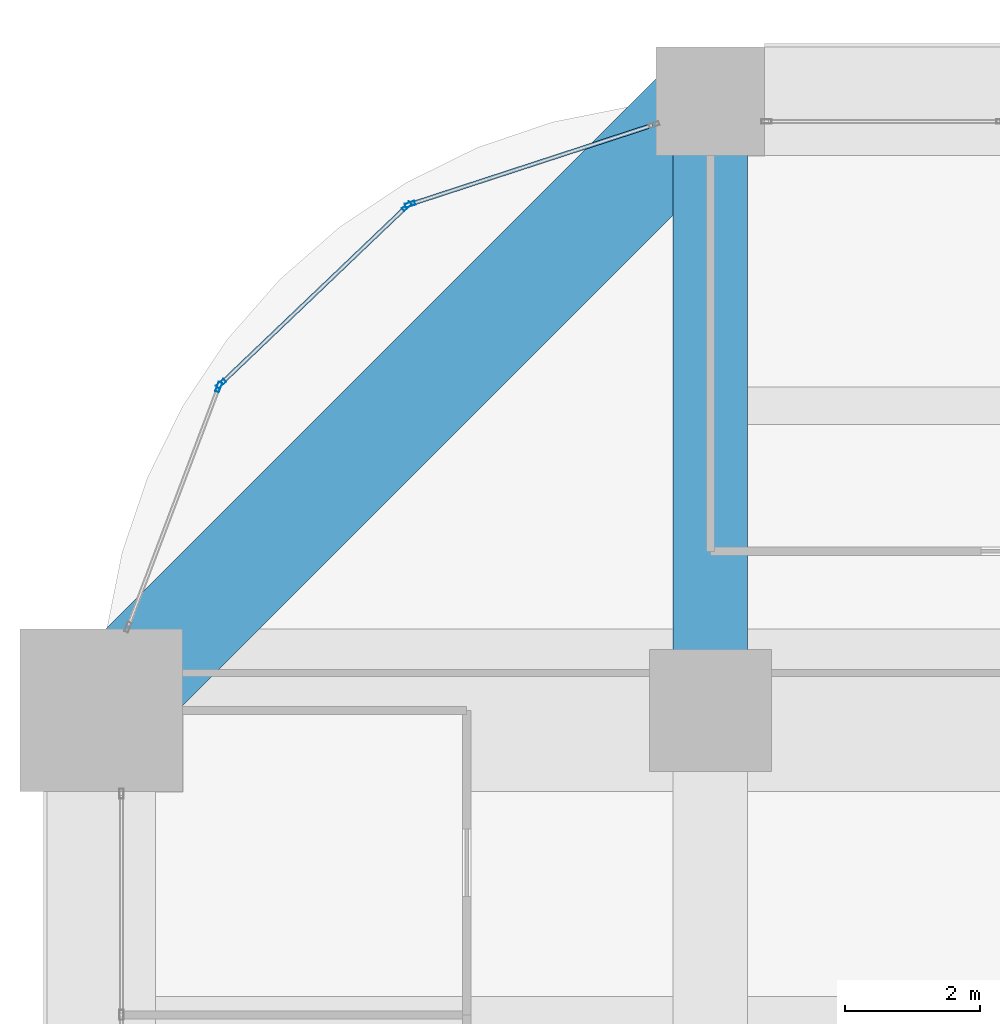
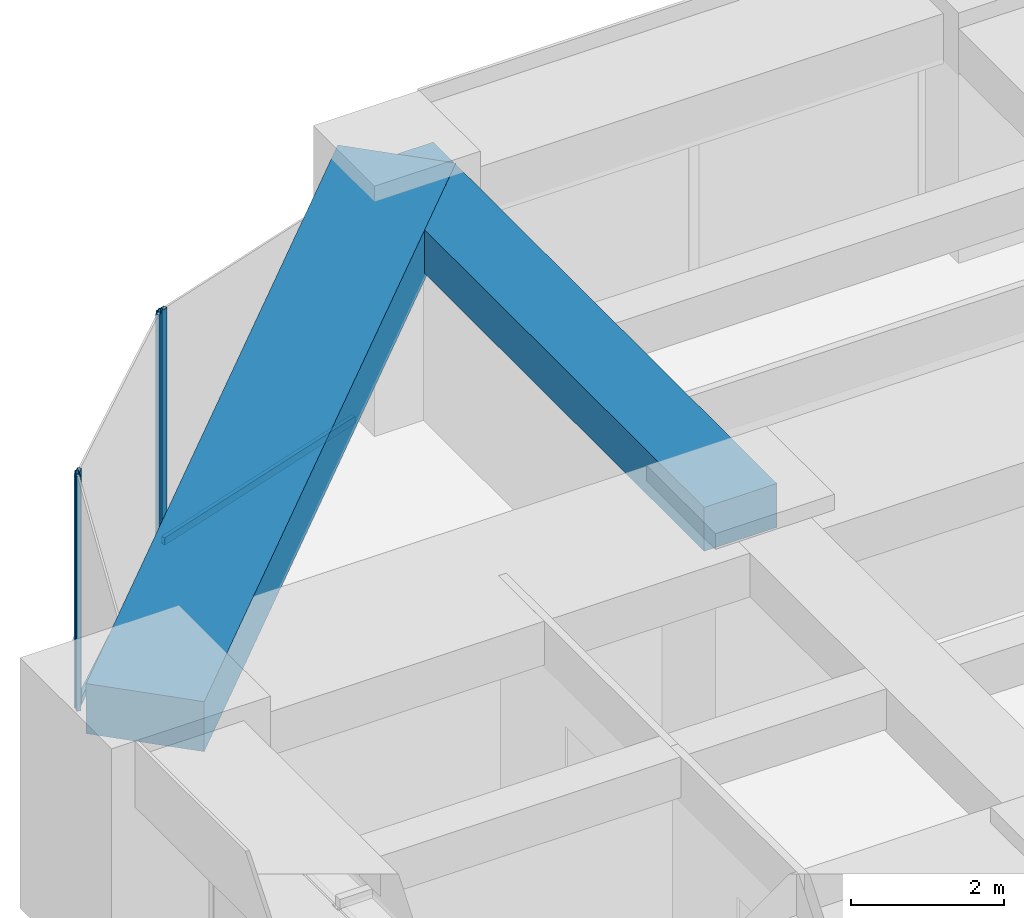
# One storey, part 26 of 43: 6 members, 2 beams, 3 elements without a shape of their own.
"""IFC4 building model written with IfcOpenShell, lengths in metres."""

from ifc_helpers import new_model, si_unit, direction, frame, origin, origin_2d, place, context, subcontext, project, spatial, rectangle, hollow_rectangle, extrude, material, material_profile, profile_set, type_object, element, aggregate, save


model = new_model("IFC4")

# Units and contexts
model_context = context("Model", 3, precision=1e-05, world=origin(), true_north=direction((0.0, 1.0)))
body_context = subcontext(model_context, "Body", "Model", "MODEL_VIEW")
ifc_project = project(units=[si_unit("LENGTHUNIT", "METRE"), si_unit("AREAUNIT", "SQUARE_METRE"), si_unit("VOLUMEUNIT", "CUBIC_METRE"), si_unit("PLANEANGLEUNIT", "RADIAN"), si_unit("MASSUNIT", "GRAM", prefix="KILO")], contexts=[model_context])

# Site, building, storey
site_placement = place(None, origin())
site = spatial("IfcSite", under=ifc_project, at=site_placement, CompositionType="ELEMENT")
building_placement = place(site_placement, origin())
building = spatial("IfcBuilding", under=site, at=building_placement, Name="Zorevar Civic Tower", CompositionType="ELEMENT")
storey_placement = place(building_placement, frame((0.0, 0.0, 145.0)))
storey = spatial("IfcBuildingStorey", under=building, at=storey_placement, Name="L35", CompositionType="ELEMENT", Elevation=145.0)

# Beam
ifc_material_1 = material(Name="Concrete C50/60", Category="concrete")
ifc_material_profile_1 = material_profile(ifc_material_1, rectangle(XDim=1.10009765625, YDim=0.699951171875, at=origin_2d()), Name="RC 1100x700")
ifc_profile_set_1 = profile_set([ifc_material_profile_1], Name="Concrete C50/60")
beam_type_1 = type_object("IfcBeamType", Name="Beam RC 1100x700", PredefinedType="BEAM", material=ifc_profile_set_1)
beam_1_placement = place(storey_placement, frame((9.0, 36.0, 3.39990234375), z_axis=(0.0, 1.0, 0.0), x_axis=(-1.0, 0.0, 0.0)))
element("IfcBeam", 1, at=beam_1_placement, inside=storey, type_object=beam_type_1, Name="Girder L36", PredefinedType="BEAM", context=body_context, shape_type="SweptSolid", body=[
    extrude(rectangle(XDim=1.10009765625, YDim=0.699951171875, at=origin_2d()), origin(), (0.0, 0.0, 1.0), 9.0),
])

# Curtain wall, member
ifc_material_2 = material(Name="Dark grey solar-control glass in black aluminium frame", Category="aluminium")
curtain_wall_type = type_object("IfcCurtainWallType", Name="Curtain wall CW3 mid zone", PredefinedType="NOTDEFINED", material=ifc_material_2)
curtain_wall_1_placement = place(storey_placement, origin())
curtain_wall_1 = element("IfcCurtainWall", 2, at=curtain_wall_1_placement, inside=storey, type_object=curtain_wall_type, Name="CW3 L35", PredefinedType="NOTDEFINED")
ifc_material_3 = material(Name="Aluminium, black anodised", Category="aluminium")
ifc_material_profile_2 = material_profile(ifc_material_3, hollow_rectangle(XDim=0.06005859375, YDim=0.14990234375, WallThickness=0.00390625, at=origin_2d()), Name="AL 150x60x4")
ifc_profile_set_2 = profile_set([ifc_material_profile_2], Name="Aluminium, black anodised")
member_type_1 = type_object("IfcMemberType", Name="CW3 mullion AL 150x60x4", PredefinedType="MULLION", material=ifc_profile_set_2)
member_1_placement = place(storey_placement, frame((4.56396484375, 43.476318359375, 0.0), z_axis=(0.0, 0.0, 1.0), x_axis=(0.310263169163, -0.950650706548, 0.0)))
member_1 = element("IfcMember", 3, at=member_1_placement, type_object=member_type_1, Name="CW3 mullion 2", PredefinedType="MULLION", context=body_context, shape_type="SweptSolid", body=[
    extrude(hollow_rectangle(XDim=0.06005859375, YDim=0.14990234375, WallThickness=0.00390625, at=origin_2d()), origin(), (0.0, 0.0, 1.0), 3.75),
])

# Curtain wall, members
curtain_wall_2_placement = place(storey_placement, origin())
curtain_wall_2 = element("IfcCurtainWall", 4, at=curtain_wall_2_placement, inside=storey, type_object=curtain_wall_type, Name="CW3 L35", PredefinedType="NOTDEFINED")
member_2_placement = place(storey_placement, frame((4.513916015625, 43.4462890625, 0.0), z_axis=(0.0, 0.0, 1.0), x_axis=(0.690545329292, -0.723289117983, 0.0)))
member_2 = element("IfcMember", 5, at=member_2_placement, type_object=member_type_1, Name="CW3 mullion 1", PredefinedType="MULLION", context=body_context, shape_type="SweptSolid", body=[
    extrude(hollow_rectangle(XDim=0.06005859375, YDim=0.14990234375, WallThickness=0.00390625, at=origin_2d()), origin(), (0.0, 0.0, 1.0), 3.75),
])
member_3_placement = place(storey_placement, frame((1.76904296875, 40.825927734375, 0.0), z_axis=(0.0, 0.0, 1.0), x_axis=(0.690545329292, -0.723289117983, 0.0)))
member_3 = element("IfcMember", 6, at=member_3_placement, type_object=member_type_1, Name="CW3 mullion 2", PredefinedType="MULLION", context=body_context, shape_type="SweptSolid", body=[
    extrude(hollow_rectangle(XDim=0.06005859375, YDim=0.14990234375, WallThickness=0.00390625, at=origin_2d()), origin(), (0.0, 0.0, 1.0), 3.75),
])

# Curtain wall, member
curtain_wall_3_placement = place(storey_placement, origin())
curtain_wall_3 = element("IfcCurtainWall", 7, at=curtain_wall_3_placement, inside=storey, type_object=curtain_wall_type, Name="CW3 L35", PredefinedType="NOTDEFINED")
member_4_placement = place(storey_placement, frame((1.73681640625, 40.777099609375, 0.0), z_axis=(0.0, 0.0, 1.0), x_axis=(0.935276561184, -0.353917722218, 0.0)))
member_4 = element("IfcMember", 8, at=member_4_placement, type_object=member_type_1, Name="CW3 mullion 1", PredefinedType="MULLION", context=body_context, shape_type="SweptSolid", body=[
    extrude(hollow_rectangle(XDim=0.06005859375, YDim=0.14990234375, WallThickness=0.00390625, at=origin_2d()), origin(), (0.0, 0.0, 1.0), 3.75),
])
aggregate(curtain_wall_3, [member_4])

# Member
ifc_material_4 = material(Name="Aluminium, black anodised", Category="aluminium")
ifc_material_profile_3 = material_profile(ifc_material_4, hollow_rectangle(XDim=0.06005859375, YDim=0.1201171875, WallThickness=0.0029296875, at=origin_2d()), Name="AL 120x60x3")
ifc_profile_set_3 = profile_set([ifc_material_profile_3], Name="Aluminium, black anodised")
member_type_2 = type_object("IfcMemberType", Name="CW3 transom AL 120x60x3", PredefinedType="USERDEFINED", material=ifc_profile_set_3)
member_5_placement = place(storey_placement, frame((8.14306640625, 44.64453125, 0.030029296875), z_axis=(-0.950638909659, -0.310299312669, 0.0), x_axis=(0.310299312669, -0.950638909659, 0.0)))
member_5 = element("IfcMember", 9, at=member_5_placement, type_object=member_type_2, Name="CW3 sill transom", ObjectType="TRANSOM", PredefinedType="USERDEFINED", context=body_context, shape_type="SweptSolid", body=[
    extrude(hollow_rectangle(XDim=0.06005859375, YDim=0.1201171875, WallThickness=0.0029296875, at=origin_2d()), origin(), (0.0, 0.0, 1.0), 3.73486328125),
])

aggregate(curtain_wall_1, [member_1, member_5])

member_6_placement = place(storey_placement, frame((4.4921875, 43.425537109375, 0.030029296875), z_axis=(-0.723324377588, -0.690508395884, 0.0), x_axis=(0.690508395884, -0.723324377588, 0.0)))
member_6 = element("IfcMember", 10, at=member_6_placement, type_object=member_type_2, Name="CW3 sill transom", ObjectType="TRANSOM", PredefinedType="USERDEFINED", context=body_context, shape_type="SweptSolid", body=[
    extrude(hollow_rectangle(XDim=0.06005859375, YDim=0.1201171875, WallThickness=0.0029296875, at=origin_2d()), origin(), (0.0, 0.0, 1.0), 3.734619140625),
])

aggregate(curtain_wall_2, [member_2, member_3, member_6])

# Beam
ifc_material_5 = material(Name="Concrete C50/60", Category="concrete")
ifc_material_profile_4 = material_profile(ifc_material_5, rectangle(XDim=1.60009765625, YDim=0.800048828125, at=origin_2d()), Name="RC 1600x800")
ifc_profile_set_4 = profile_set([ifc_material_profile_4], Name="Concrete C50/60")
beam_type_2 = type_object("IfcBeamType", Name="Edge beam RC 1600x800", PredefinedType="SPANDREL", material=ifc_profile_set_4)
beam_2_placement = place(storey_placement, frame((9.0, 45.0, 3.35009765625), z_axis=(-0.707106781187, -0.707106781187, 0.0), x_axis=(0.707106781187, -0.707106781187, 0.0)))
element("IfcBeam", 11, at=beam_2_placement, inside=storey, type_object=beam_type_2, Name="Corner edge beam L36", PredefinedType="SPANDREL", context=body_context, shape_type="SweptSolid", body=[
    extrude(rectangle(XDim=1.60009765625, YDim=0.800048828125, at=origin_2d()), origin(), (0.0, 0.0, 1.0), 12.72802734375),
])

save(model, "model.ifc")
